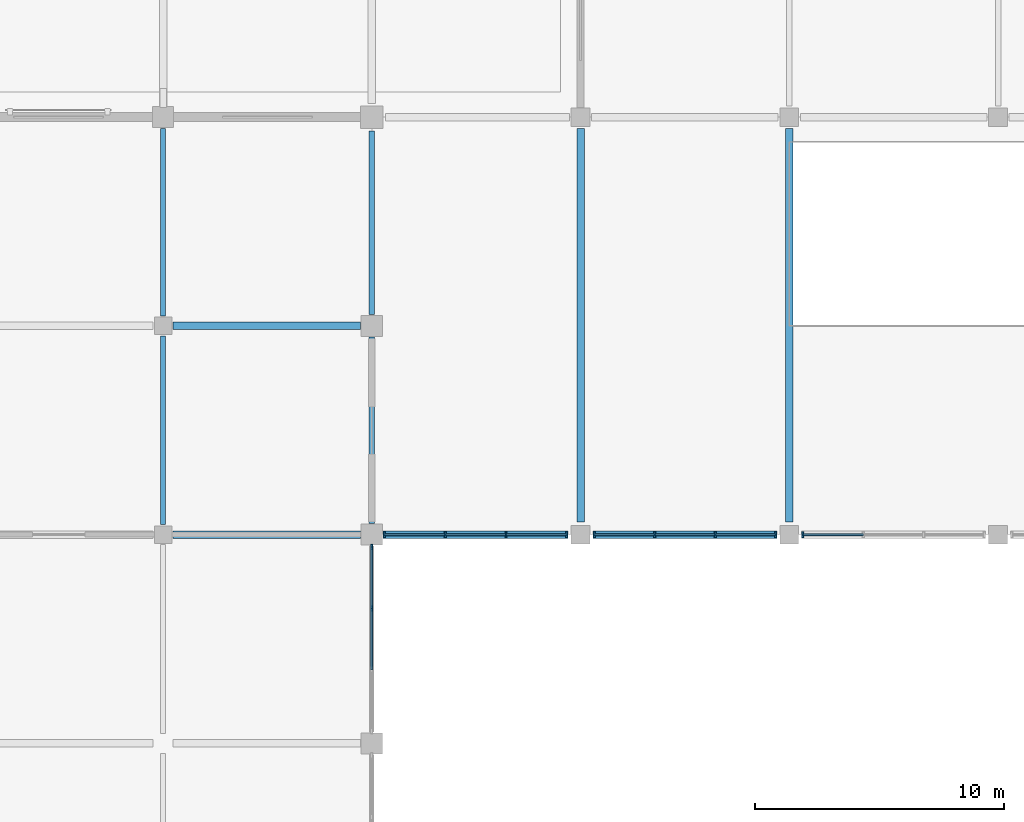
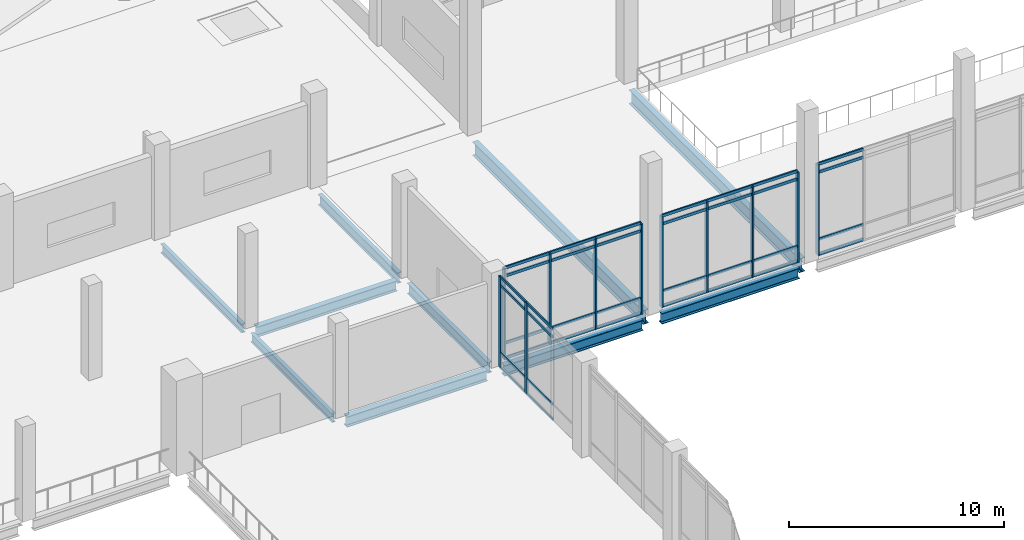
# One storey, part 15 of 72: 47 members, 10 beams, 4 elements without a shape of their own.
"""IFC4 building model written with IfcOpenShell, lengths in metres."""

from ifc_helpers import new_model, si_unit, direction, frame, origin, origin_2d, place, context, subcontext, project, spatial, rectangle, i_section, extrude, material, layer, layer_set, material_profile, profile_set, type_object, element, aggregate, save


model = new_model("IFC4")

# Units and contexts
model_context = context("Model", 3, precision=1e-05, world=origin(), true_north=direction((0.0, 1.0)))
body_context = subcontext(model_context, "Body", "Model", "MODEL_VIEW")
ifc_project = project(units=[si_unit("LENGTHUNIT", "METRE"), si_unit("AREAUNIT", "SQUARE_METRE"), si_unit("VOLUMEUNIT", "CUBIC_METRE"), si_unit("PLANEANGLEUNIT", "RADIAN"), si_unit("MASSUNIT", "GRAM", prefix="KILO")], contexts=[model_context])

# Site, building, storey
site_placement = place(None, origin())
site = spatial("IfcSite", under=ifc_project, at=site_placement, CompositionType="ELEMENT")
building_placement = place(site_placement, origin())
building = spatial("IfcBuilding", under=site, at=building_placement, Name="Qawsi Khor Wholesale Market", CompositionType="ELEMENT")
storey_placement = place(building_placement, frame((0.0, 0.0, 6.0)))
storey = spatial("IfcBuildingStorey", under=building, at=storey_placement, Name="L01", CompositionType="ELEMENT", Elevation=6.0)

# Curtain wall, members
ifc_material_1 = material(Name="Aluminium Anodised Bronze", Category="aluminium")
ifc_layer_1 = layer(ifc_material_1, 0.199951171875, Name="Aluminium Anodised Bronze")
ifc_layer_set_1 = layer_set([ifc_layer_1], Name="Aluminium Anodised Bronze")
curtain_wall_type_1 = type_object("IfcCurtainWallType", Name="Trading Hall North-Light Curtain Wall CW-03", PredefinedType="NOTDEFINED", material=ifc_layer_set_1)
curtain_wall_1_placement = place(storey_placement, origin())
curtain_wall_1 = element("IfcCurtainWall", 1, at=curtain_wall_1_placement, inside=storey, type_object=curtain_wall_type_1, Name="Curtain wall CW-CW-03-L01-093", PredefinedType="NOTDEFINED")
ifc_material_profile_1 = material_profile(ifc_material_1, rectangle(XDim=0.074951171875, YDim=0.219970703125, at=origin_2d()), Name="ALU MULLION 75x220")
ifc_profile_set_1 = profile_set([ifc_material_profile_1], Name="Aluminium Anodised Bronze")
member_type_1 = type_object("IfcMemberType", Name="Curtain Wall Mullion CW-03 ALU MULLION 75x220", PredefinedType="MULLION", material=ifc_profile_set_1)
member_1_placement = place(storey_placement, frame((75.60009765625, 89.43408203125, -0.02001953125), z_axis=(0.0, 0.0, 1.0), x_axis=(1.0, 0.0, 0.0)))
member_1 = element("IfcMember", 2, at=member_1_placement, type_object=member_type_1, Name="Mullion CW-CW-03-L01-093-M02", PredefinedType="MULLION", context=body_context, shape_type="SweptSolid", body=[
    extrude(rectangle(XDim=0.074951171875, YDim=0.219970703125, at=origin_2d()), origin(), (0.0, 0.0, 1.0), 5.14990234375),
])
member_2_placement = place(storey_placement, frame((75.60009765625, 91.902587890625, -0.02001953125), z_axis=(0.0, 0.0, 1.0), x_axis=(1.0, 0.0, 0.0)))
member_2 = element("IfcMember", 3, at=member_2_placement, type_object=member_type_1, Name="Mullion CW-CW-03-L01-093-M03", PredefinedType="MULLION", context=body_context, shape_type="SweptSolid", body=[
    extrude(rectangle(XDim=0.074951171875, YDim=0.219970703125, at=origin_2d()), origin(), (0.0, 0.0, 1.0), 5.14990234375),
])

ifc_layer_2 = layer(ifc_material_1, 0.219970703125, Name="Aluminium Anodised Bronze")
ifc_layer_set_2 = layer_set([ifc_layer_2], Name="Aluminium Anodised Bronze")
curtain_wall_type_2 = type_object("IfcCurtainWallType", Name="Auction Clerestory Curtain Wall CW-04", PredefinedType="NOTDEFINED", material=ifc_layer_set_2)
curtain_wall_2_placement = place(storey_placement, origin())
curtain_wall_2 = element("IfcCurtainWall", 4, at=curtain_wall_2_placement, inside=storey, type_object=curtain_wall_type_2, Name="Curtain wall CW-CW-04-L01-098", PredefinedType="NOTDEFINED")
ifc_material_profile_2 = material_profile(ifc_material_1, rectangle(XDim=0.080078125, YDim=0.239990234375, at=origin_2d()), Name="ALU MULLION 80x240")
ifc_profile_set_2 = profile_set([ifc_material_profile_2], Name="Aluminium Anodised Bronze")
member_type_2 = type_object("IfcMemberType", Name="Curtain Wall Mullion CW-04 ALU MULLION 80x240", PredefinedType="MULLION", material=ifc_profile_set_2)
member_3_placement = place(storey_placement, frame((76.10009765625, 92.39990234375, -0.02001953125), z_axis=(0.0, 0.0, 1.0), x_axis=(1.0, 0.0, 0.0)))
member_3 = element("IfcMember", 5, at=member_3_placement, type_object=member_type_2, Name="Mullion CW-CW-04-L01-098-M00", PredefinedType="MULLION", context=body_context, shape_type="SweptSolid", body=[
    extrude(rectangle(XDim=0.080078125, YDim=0.239990234375, at=origin_2d()), origin(), (0.0, 0.0, 1.0), 5.14013671875),
])
member_4_placement = place(storey_placement, frame((78.550048828125, 92.39990234375, -0.02001953125), z_axis=(0.0, 0.0, 1.0), x_axis=(1.0, 0.0, 0.0)))
member_4 = element("IfcMember", 6, at=member_4_placement, type_object=member_type_2, Name="Mullion CW-CW-04-L01-098-M01", PredefinedType="MULLION", context=body_context, shape_type="SweptSolid", body=[
    extrude(rectangle(XDim=0.080078125, YDim=0.239990234375, at=origin_2d()), origin(), (0.0, 0.0, 1.0), 5.14013671875),
])
member_5_placement = place(storey_placement, frame((81.0, 92.39990234375, -0.02001953125), z_axis=(0.0, 0.0, 1.0), x_axis=(1.0, 0.0, 0.0)))
member_5 = element("IfcMember", 7, at=member_5_placement, type_object=member_type_2, Name="Mullion CW-CW-04-L01-098-M02", PredefinedType="MULLION", context=body_context, shape_type="SweptSolid", body=[
    extrude(rectangle(XDim=0.080078125, YDim=0.239990234375, at=origin_2d()), origin(), (0.0, 0.0, 1.0), 5.14013671875),
])
member_6_placement = place(storey_placement, frame((83.449951171875, 92.39990234375, -0.02001953125), z_axis=(0.0, 0.0, 1.0), x_axis=(1.0, 0.0, 0.0)))
member_6 = element("IfcMember", 8, at=member_6_placement, type_object=member_type_2, Name="Mullion CW-CW-04-L01-098-M03", PredefinedType="MULLION", context=body_context, shape_type="SweptSolid", body=[
    extrude(rectangle(XDim=0.080078125, YDim=0.239990234375, at=origin_2d()), origin(), (0.0, 0.0, 1.0), 5.14013671875),
])

curtain_wall_3_placement = place(storey_placement, origin())
curtain_wall_3 = element("IfcCurtainWall", 9, at=curtain_wall_3_placement, inside=storey, type_object=curtain_wall_type_2, Name="Curtain wall CW-CW-04-L01-100", PredefinedType="NOTDEFINED")
member_7_placement = place(storey_placement, frame((84.550048828125, 92.39990234375, -0.02001953125), z_axis=(0.0, 0.0, 1.0), x_axis=(1.0, 0.0, 0.0)))
member_7 = element("IfcMember", 10, at=member_7_placement, type_object=member_type_2, Name="Mullion CW-CW-04-L01-100-M00", PredefinedType="MULLION", context=body_context, shape_type="SweptSolid", body=[
    extrude(rectangle(XDim=0.080078125, YDim=0.239990234375, at=origin_2d()), origin(), (0.0, 0.0, 1.0), 5.14013671875),
])
member_8_placement = place(storey_placement, frame((86.9833984375, 92.39990234375, -0.02001953125), z_axis=(0.0, 0.0, 1.0), x_axis=(1.0, 0.0, 0.0)))
member_8 = element("IfcMember", 11, at=member_8_placement, type_object=member_type_2, Name="Mullion CW-CW-04-L01-100-M01", PredefinedType="MULLION", context=body_context, shape_type="SweptSolid", body=[
    extrude(rectangle(XDim=0.080078125, YDim=0.239990234375, at=origin_2d()), origin(), (0.0, 0.0, 1.0), 5.14013671875),
])
member_9_placement = place(storey_placement, frame((89.416748046875, 92.39990234375, -0.02001953125), z_axis=(0.0, 0.0, 1.0), x_axis=(1.0, 0.0, 0.0)))
member_9 = element("IfcMember", 12, at=member_9_placement, type_object=member_type_2, Name="Mullion CW-CW-04-L01-100-M02", PredefinedType="MULLION", context=body_context, shape_type="SweptSolid", body=[
    extrude(rectangle(XDim=0.080078125, YDim=0.239990234375, at=origin_2d()), origin(), (0.0, 0.0, 1.0), 5.14013671875),
])
member_10_placement = place(storey_placement, frame((91.85009765625, 92.39990234375, -0.02001953125), z_axis=(0.0, 0.0, 1.0), x_axis=(1.0, 0.0, 0.0)))
member_10 = element("IfcMember", 13, at=member_10_placement, type_object=member_type_2, Name="Mullion CW-CW-04-L01-100-M03", PredefinedType="MULLION", context=body_context, shape_type="SweptSolid", body=[
    extrude(rectangle(XDim=0.080078125, YDim=0.239990234375, at=origin_2d()), origin(), (0.0, 0.0, 1.0), 5.14013671875),
])

# Curtain wall, member
curtain_wall_4_placement = place(storey_placement, origin())
curtain_wall_4 = element("IfcCurtainWall", 14, at=curtain_wall_4_placement, inside=storey, type_object=curtain_wall_type_2, Name="Curtain wall CW-CW-04-L01-103", PredefinedType="NOTDEFINED")
member_11_placement = place(storey_placement, frame((92.949951171875, 92.39990234375, -0.02001953125), z_axis=(0.0, 0.0, 1.0), x_axis=(1.0, 0.0, 0.0)))
member_11 = element("IfcMember", 15, at=member_11_placement, type_object=member_type_2, Name="Mullion CW-CW-04-L01-103-M00", PredefinedType="MULLION", context=body_context, shape_type="SweptSolid", body=[
    extrude(rectangle(XDim=0.080078125, YDim=0.239990234375, at=origin_2d()), origin(), (0.0, 0.0, 1.0), 5.14013671875),
])

# Member
ifc_material_profile_3 = material_profile(ifc_material_1, rectangle(XDim=0.070068359375, YDim=0.14990234375, at=origin_2d()), Name="ALU TRANSOM 70x150")
ifc_profile_set_3 = profile_set([ifc_material_profile_3], Name="Aluminium Anodised Bronze")
member_type_3 = type_object("IfcMemberType", Name="Curtain Wall Transom CW-03 ALU TRANSOM 70x150", PredefinedType="USERDEFINED", material=ifc_profile_set_3)
member_12_placement = place(storey_placement, frame((75.60009765625, 86.9658203125, 0.0), z_axis=(0.0, 1.0, 0.0), x_axis=(-1.0, 0.0, 0.0)))
member_12 = element("IfcMember", 16, at=member_12_placement, type_object=member_type_3, Name="Transom CW-CW-03-L01-093-T0_01", ObjectType="TRANSOM", PredefinedType="USERDEFINED", context=body_context, shape_type="SweptSolid", body=[
    extrude(rectangle(XDim=0.070068359375, YDim=0.14990234375, at=origin_2d()), origin(), (0.0, 0.0, 1.0), 2.46826171875),
])

member_13_placement = place(storey_placement, frame((75.60009765625, 89.43408203125, 0.0), z_axis=(0.0, 1.0, 0.0), x_axis=(-1.0, 0.0, 0.0)))
member_13 = element("IfcMember", 17, at=member_13_placement, type_object=member_type_3, Name="Transom CW-CW-03-L01-093-T0_02", ObjectType="TRANSOM", PredefinedType="USERDEFINED", context=body_context, shape_type="SweptSolid", body=[
    extrude(rectangle(XDim=0.070068359375, YDim=0.14990234375, at=origin_2d()), origin(), (0.0, 0.0, 1.0), 2.468505859375),
])

member_14_placement = place(storey_placement, frame((75.60009765625, 86.9658203125, 0.85009765625), z_axis=(0.0, 1.0, 0.0), x_axis=(-1.0, 0.0, 0.0)))
member_14 = element("IfcMember", 18, at=member_14_placement, type_object=member_type_3, Name="Transom CW-CW-03-L01-093-T1_01", ObjectType="TRANSOM", PredefinedType="USERDEFINED", context=body_context, shape_type="SweptSolid", body=[
    extrude(rectangle(XDim=0.070068359375, YDim=0.14990234375, at=origin_2d()), origin(), (0.0, 0.0, 1.0), 2.46826171875),
])

member_15_placement = place(storey_placement, frame((75.60009765625, 89.43408203125, 0.85009765625), z_axis=(0.0, 1.0, 0.0), x_axis=(-1.0, 0.0, 0.0)))
member_15 = element("IfcMember", 19, at=member_15_placement, type_object=member_type_3, Name="Transom CW-CW-03-L01-093-T1_02", ObjectType="TRANSOM", PredefinedType="USERDEFINED", context=body_context, shape_type="SweptSolid", body=[
    extrude(rectangle(XDim=0.070068359375, YDim=0.14990234375, at=origin_2d()), origin(), (0.0, 0.0, 1.0), 2.468505859375),
])

member_16_placement = place(storey_placement, frame((75.60009765625, 86.9658203125, 4.679931640625), z_axis=(0.0, 1.0, 0.0), x_axis=(-1.0, 0.0, 0.0)))
member_16 = element("IfcMember", 20, at=member_16_placement, type_object=member_type_3, Name="Transom CW-CW-03-L01-093-T2_01", ObjectType="TRANSOM", PredefinedType="USERDEFINED", context=body_context, shape_type="SweptSolid", body=[
    extrude(rectangle(XDim=0.070068359375, YDim=0.14990234375, at=origin_2d()), origin(), (0.0, 0.0, 1.0), 2.46826171875),
])

member_17_placement = place(storey_placement, frame((75.60009765625, 89.43408203125, 4.679931640625), z_axis=(0.0, 1.0, 0.0), x_axis=(-1.0, 0.0, 0.0)))
member_17 = element("IfcMember", 21, at=member_17_placement, type_object=member_type_3, Name="Transom CW-CW-03-L01-093-T2_02", ObjectType="TRANSOM", PredefinedType="USERDEFINED", context=body_context, shape_type="SweptSolid", body=[
    extrude(rectangle(XDim=0.070068359375, YDim=0.14990234375, at=origin_2d()), origin(), (0.0, 0.0, 1.0), 2.468505859375),
])

member_18_placement = place(storey_placement, frame((75.60009765625, 86.9658203125, 5.1298828125), z_axis=(0.0, 1.0, 0.0), x_axis=(-1.0, 0.0, 0.0)))
member_18 = element("IfcMember", 22, at=member_18_placement, type_object=member_type_3, Name="Transom CW-CW-03-L01-093-T3_01", ObjectType="TRANSOM", PredefinedType="USERDEFINED", context=body_context, shape_type="SweptSolid", body=[
    extrude(rectangle(XDim=0.070068359375, YDim=0.14990234375, at=origin_2d()), origin(), (0.0, 0.0, 1.0), 2.46826171875),
])

member_19_placement = place(storey_placement, frame((75.60009765625, 89.43408203125, 5.1298828125), z_axis=(0.0, 1.0, 0.0), x_axis=(-1.0, 0.0, 0.0)))
member_19 = element("IfcMember", 23, at=member_19_placement, type_object=member_type_3, Name="Transom CW-CW-03-L01-093-T3_02", ObjectType="TRANSOM", PredefinedType="USERDEFINED", context=body_context, shape_type="SweptSolid", body=[
    extrude(rectangle(XDim=0.070068359375, YDim=0.14990234375, at=origin_2d()), origin(), (0.0, 0.0, 1.0), 2.468505859375),
])

aggregate(curtain_wall_1, [member_1, member_2, member_12, member_13, member_14, member_15, member_16, member_17, member_18, member_19])

ifc_material_profile_4 = material_profile(ifc_material_1, rectangle(XDim=0.074951171875, YDim=0.159912109375, at=origin_2d()), Name="ALU TRANSOM 75x160")
ifc_profile_set_4 = profile_set([ifc_material_profile_4], Name="Aluminium Anodised Bronze")
member_type_4 = type_object("IfcMemberType", Name="Curtain Wall Transom CW-04 ALU TRANSOM 75x160", PredefinedType="USERDEFINED", material=ifc_profile_set_4)
member_20_placement = place(storey_placement, frame((76.10009765625, 92.39990234375, 0.0), z_axis=(1.0, 0.0, 0.0), x_axis=(0.0, 1.0, 0.0)))
member_20 = element("IfcMember", 24, at=member_20_placement, type_object=member_type_4, Name="Transom CW-CW-04-L01-098-T0_00", ObjectType="TRANSOM", PredefinedType="USERDEFINED", context=body_context, shape_type="SweptSolid", body=[
    extrude(rectangle(XDim=0.074951171875, YDim=0.159912109375, at=origin_2d()), origin(), (0.0, 0.0, 1.0), 2.449951171875),
])

member_21_placement = place(storey_placement, frame((78.550048828125, 92.39990234375, 0.0), z_axis=(1.0, 0.0, 0.0), x_axis=(0.0, 1.0, 0.0)))
member_21 = element("IfcMember", 25, at=member_21_placement, type_object=member_type_4, Name="Transom CW-CW-04-L01-098-T0_01", ObjectType="TRANSOM", PredefinedType="USERDEFINED", context=body_context, shape_type="SweptSolid", body=[
    extrude(rectangle(XDim=0.074951171875, YDim=0.159912109375, at=origin_2d()), origin(), (0.0, 0.0, 1.0), 2.449951171875),
])

member_22_placement = place(storey_placement, frame((81.0, 92.39990234375, 0.0), z_axis=(1.0, 0.0, 0.0), x_axis=(0.0, 1.0, 0.0)))
member_22 = element("IfcMember", 26, at=member_22_placement, type_object=member_type_4, Name="Transom CW-CW-04-L01-098-T0_02", ObjectType="TRANSOM", PredefinedType="USERDEFINED", context=body_context, shape_type="SweptSolid", body=[
    extrude(rectangle(XDim=0.074951171875, YDim=0.159912109375, at=origin_2d()), origin(), (0.0, 0.0, 1.0), 2.449951171875),
])

member_23_placement = place(storey_placement, frame((76.10009765625, 92.39990234375, 0.85009765625), z_axis=(1.0, 0.0, 0.0), x_axis=(0.0, 1.0, 0.0)))
member_23 = element("IfcMember", 27, at=member_23_placement, type_object=member_type_4, Name="Transom CW-CW-04-L01-098-T1_00", ObjectType="TRANSOM", PredefinedType="USERDEFINED", context=body_context, shape_type="SweptSolid", body=[
    extrude(rectangle(XDim=0.074951171875, YDim=0.159912109375, at=origin_2d()), origin(), (0.0, 0.0, 1.0), 2.449951171875),
])

member_24_placement = place(storey_placement, frame((78.550048828125, 92.39990234375, 0.85009765625), z_axis=(1.0, 0.0, 0.0), x_axis=(0.0, 1.0, 0.0)))
member_24 = element("IfcMember", 28, at=member_24_placement, type_object=member_type_4, Name="Transom CW-CW-04-L01-098-T1_01", ObjectType="TRANSOM", PredefinedType="USERDEFINED", context=body_context, shape_type="SweptSolid", body=[
    extrude(rectangle(XDim=0.074951171875, YDim=0.159912109375, at=origin_2d()), origin(), (0.0, 0.0, 1.0), 2.449951171875),
])

member_25_placement = place(storey_placement, frame((81.0, 92.39990234375, 0.85009765625), z_axis=(1.0, 0.0, 0.0), x_axis=(0.0, 1.0, 0.0)))
member_25 = element("IfcMember", 29, at=member_25_placement, type_object=member_type_4, Name="Transom CW-CW-04-L01-098-T1_02", ObjectType="TRANSOM", PredefinedType="USERDEFINED", context=body_context, shape_type="SweptSolid", body=[
    extrude(rectangle(XDim=0.074951171875, YDim=0.159912109375, at=origin_2d()), origin(), (0.0, 0.0, 1.0), 2.449951171875),
])

member_26_placement = place(storey_placement, frame((76.10009765625, 92.39990234375, 4.669921875), z_axis=(1.0, 0.0, 0.0), x_axis=(0.0, 1.0, 0.0)))
member_26 = element("IfcMember", 30, at=member_26_placement, type_object=member_type_4, Name="Transom CW-CW-04-L01-098-T2_00", ObjectType="TRANSOM", PredefinedType="USERDEFINED", context=body_context, shape_type="SweptSolid", body=[
    extrude(rectangle(XDim=0.074951171875, YDim=0.159912109375, at=origin_2d()), origin(), (0.0, 0.0, 1.0), 2.449951171875),
])

member_27_placement = place(storey_placement, frame((78.550048828125, 92.39990234375, 4.669921875), z_axis=(1.0, 0.0, 0.0), x_axis=(0.0, 1.0, 0.0)))
member_27 = element("IfcMember", 31, at=member_27_placement, type_object=member_type_4, Name="Transom CW-CW-04-L01-098-T2_01", ObjectType="TRANSOM", PredefinedType="USERDEFINED", context=body_context, shape_type="SweptSolid", body=[
    extrude(rectangle(XDim=0.074951171875, YDim=0.159912109375, at=origin_2d()), origin(), (0.0, 0.0, 1.0), 2.449951171875),
])

member_28_placement = place(storey_placement, frame((81.0, 92.39990234375, 4.669921875), z_axis=(1.0, 0.0, 0.0), x_axis=(0.0, 1.0, 0.0)))
member_28 = element("IfcMember", 32, at=member_28_placement, type_object=member_type_4, Name="Transom CW-CW-04-L01-098-T2_02", ObjectType="TRANSOM", PredefinedType="USERDEFINED", context=body_context, shape_type="SweptSolid", body=[
    extrude(rectangle(XDim=0.074951171875, YDim=0.159912109375, at=origin_2d()), origin(), (0.0, 0.0, 1.0), 2.449951171875),
])

member_29_placement = place(storey_placement, frame((76.10009765625, 92.39990234375, 5.1201171875), z_axis=(1.0, 0.0, 0.0), x_axis=(0.0, 1.0, 0.0)))
member_29 = element("IfcMember", 33, at=member_29_placement, type_object=member_type_4, Name="Transom CW-CW-04-L01-098-T3_00", ObjectType="TRANSOM", PredefinedType="USERDEFINED", context=body_context, shape_type="SweptSolid", body=[
    extrude(rectangle(XDim=0.074951171875, YDim=0.159912109375, at=origin_2d()), origin(), (0.0, 0.0, 1.0), 2.449951171875),
])

member_30_placement = place(storey_placement, frame((78.550048828125, 92.39990234375, 5.1201171875), z_axis=(1.0, 0.0, 0.0), x_axis=(0.0, 1.0, 0.0)))
member_30 = element("IfcMember", 34, at=member_30_placement, type_object=member_type_4, Name="Transom CW-CW-04-L01-098-T3_01", ObjectType="TRANSOM", PredefinedType="USERDEFINED", context=body_context, shape_type="SweptSolid", body=[
    extrude(rectangle(XDim=0.074951171875, YDim=0.159912109375, at=origin_2d()), origin(), (0.0, 0.0, 1.0), 2.449951171875),
])

member_31_placement = place(storey_placement, frame((81.0, 92.39990234375, 5.1201171875), z_axis=(1.0, 0.0, 0.0), x_axis=(0.0, 1.0, 0.0)))
member_31 = element("IfcMember", 35, at=member_31_placement, type_object=member_type_4, Name="Transom CW-CW-04-L01-098-T3_02", ObjectType="TRANSOM", PredefinedType="USERDEFINED", context=body_context, shape_type="SweptSolid", body=[
    extrude(rectangle(XDim=0.074951171875, YDim=0.159912109375, at=origin_2d()), origin(), (0.0, 0.0, 1.0), 2.449951171875),
])

aggregate(curtain_wall_2, [member_3, member_4, member_5, member_6, member_20, member_21, member_22, member_23, member_24, member_25, member_26, member_27, member_28, member_29, member_30, member_31])

member_32_placement = place(storey_placement, frame((84.550048828125, 92.39990234375, 0.0), z_axis=(1.0, 0.0, 0.0), x_axis=(0.0, 1.0, 0.0)))
member_32 = element("IfcMember", 36, at=member_32_placement, type_object=member_type_4, Name="Transom CW-CW-04-L01-100-T0_00", ObjectType="TRANSOM", PredefinedType="USERDEFINED", context=body_context, shape_type="SweptSolid", body=[
    extrude(rectangle(XDim=0.074951171875, YDim=0.159912109375, at=origin_2d()), origin(), (0.0, 0.0, 1.0), 2.433349609375),
])

member_33_placement = place(storey_placement, frame((86.9833984375, 92.39990234375, 0.0), z_axis=(1.0, 0.0, 0.0), x_axis=(0.0, 1.0, 0.0)))
member_33 = element("IfcMember", 37, at=member_33_placement, type_object=member_type_4, Name="Transom CW-CW-04-L01-100-T0_01", ObjectType="TRANSOM", PredefinedType="USERDEFINED", context=body_context, shape_type="SweptSolid", body=[
    extrude(rectangle(XDim=0.074951171875, YDim=0.159912109375, at=origin_2d()), origin(), (0.0, 0.0, 1.0), 2.433349609375),
])

member_34_placement = place(storey_placement, frame((89.416748046875, 92.39990234375, 0.0), z_axis=(1.0, 0.0, 0.0), x_axis=(0.0, 1.0, 0.0)))
member_34 = element("IfcMember", 38, at=member_34_placement, type_object=member_type_4, Name="Transom CW-CW-04-L01-100-T0_02", ObjectType="TRANSOM", PredefinedType="USERDEFINED", context=body_context, shape_type="SweptSolid", body=[
    extrude(rectangle(XDim=0.074951171875, YDim=0.159912109375, at=origin_2d()), origin(), (0.0, 0.0, 1.0), 2.433349609375),
])

member_35_placement = place(storey_placement, frame((84.550048828125, 92.39990234375, 0.85009765625), z_axis=(1.0, 0.0, 0.0), x_axis=(0.0, 1.0, 0.0)))
member_35 = element("IfcMember", 39, at=member_35_placement, type_object=member_type_4, Name="Transom CW-CW-04-L01-100-T1_00", ObjectType="TRANSOM", PredefinedType="USERDEFINED", context=body_context, shape_type="SweptSolid", body=[
    extrude(rectangle(XDim=0.074951171875, YDim=0.159912109375, at=origin_2d()), origin(), (0.0, 0.0, 1.0), 2.433349609375),
])

member_36_placement = place(storey_placement, frame((86.9833984375, 92.39990234375, 0.85009765625), z_axis=(1.0, 0.0, 0.0), x_axis=(0.0, 1.0, 0.0)))
member_36 = element("IfcMember", 40, at=member_36_placement, type_object=member_type_4, Name="Transom CW-CW-04-L01-100-T1_01", ObjectType="TRANSOM", PredefinedType="USERDEFINED", context=body_context, shape_type="SweptSolid", body=[
    extrude(rectangle(XDim=0.074951171875, YDim=0.159912109375, at=origin_2d()), origin(), (0.0, 0.0, 1.0), 2.433349609375),
])

member_37_placement = place(storey_placement, frame((89.416748046875, 92.39990234375, 0.85009765625), z_axis=(1.0, 0.0, 0.0), x_axis=(0.0, 1.0, 0.0)))
member_37 = element("IfcMember", 41, at=member_37_placement, type_object=member_type_4, Name="Transom CW-CW-04-L01-100-T1_02", ObjectType="TRANSOM", PredefinedType="USERDEFINED", context=body_context, shape_type="SweptSolid", body=[
    extrude(rectangle(XDim=0.074951171875, YDim=0.159912109375, at=origin_2d()), origin(), (0.0, 0.0, 1.0), 2.433349609375),
])

member_38_placement = place(storey_placement, frame((84.550048828125, 92.39990234375, 4.669921875), z_axis=(1.0, 0.0, 0.0), x_axis=(0.0, 1.0, 0.0)))
member_38 = element("IfcMember", 42, at=member_38_placement, type_object=member_type_4, Name="Transom CW-CW-04-L01-100-T2_00", ObjectType="TRANSOM", PredefinedType="USERDEFINED", context=body_context, shape_type="SweptSolid", body=[
    extrude(rectangle(XDim=0.074951171875, YDim=0.159912109375, at=origin_2d()), origin(), (0.0, 0.0, 1.0), 2.433349609375),
])

member_39_placement = place(storey_placement, frame((86.9833984375, 92.39990234375, 4.669921875), z_axis=(1.0, 0.0, 0.0), x_axis=(0.0, 1.0, 0.0)))
member_39 = element("IfcMember", 43, at=member_39_placement, type_object=member_type_4, Name="Transom CW-CW-04-L01-100-T2_01", ObjectType="TRANSOM", PredefinedType="USERDEFINED", context=body_context, shape_type="SweptSolid", body=[
    extrude(rectangle(XDim=0.074951171875, YDim=0.159912109375, at=origin_2d()), origin(), (0.0, 0.0, 1.0), 2.433349609375),
])

member_40_placement = place(storey_placement, frame((89.416748046875, 92.39990234375, 4.669921875), z_axis=(1.0, 0.0, 0.0), x_axis=(0.0, 1.0, 0.0)))
member_40 = element("IfcMember", 44, at=member_40_placement, type_object=member_type_4, Name="Transom CW-CW-04-L01-100-T2_02", ObjectType="TRANSOM", PredefinedType="USERDEFINED", context=body_context, shape_type="SweptSolid", body=[
    extrude(rectangle(XDim=0.074951171875, YDim=0.159912109375, at=origin_2d()), origin(), (0.0, 0.0, 1.0), 2.433349609375),
])

member_41_placement = place(storey_placement, frame((84.550048828125, 92.39990234375, 5.1201171875), z_axis=(1.0, 0.0, 0.0), x_axis=(0.0, 1.0, 0.0)))
member_41 = element("IfcMember", 45, at=member_41_placement, type_object=member_type_4, Name="Transom CW-CW-04-L01-100-T3_00", ObjectType="TRANSOM", PredefinedType="USERDEFINED", context=body_context, shape_type="SweptSolid", body=[
    extrude(rectangle(XDim=0.074951171875, YDim=0.159912109375, at=origin_2d()), origin(), (0.0, 0.0, 1.0), 2.433349609375),
])

member_42_placement = place(storey_placement, frame((86.9833984375, 92.39990234375, 5.1201171875), z_axis=(1.0, 0.0, 0.0), x_axis=(0.0, 1.0, 0.0)))
member_42 = element("IfcMember", 46, at=member_42_placement, type_object=member_type_4, Name="Transom CW-CW-04-L01-100-T3_01", ObjectType="TRANSOM", PredefinedType="USERDEFINED", context=body_context, shape_type="SweptSolid", body=[
    extrude(rectangle(XDim=0.074951171875, YDim=0.159912109375, at=origin_2d()), origin(), (0.0, 0.0, 1.0), 2.433349609375),
])

member_43_placement = place(storey_placement, frame((89.416748046875, 92.39990234375, 5.1201171875), z_axis=(1.0, 0.0, 0.0), x_axis=(0.0, 1.0, 0.0)))
member_43 = element("IfcMember", 47, at=member_43_placement, type_object=member_type_4, Name="Transom CW-CW-04-L01-100-T3_02", ObjectType="TRANSOM", PredefinedType="USERDEFINED", context=body_context, shape_type="SweptSolid", body=[
    extrude(rectangle(XDim=0.074951171875, YDim=0.159912109375, at=origin_2d()), origin(), (0.0, 0.0, 1.0), 2.433349609375),
])

aggregate(curtain_wall_3, [member_7, member_8, member_9, member_10, member_32, member_33, member_34, member_35, member_36, member_37, member_38, member_39, member_40, member_41, member_42, member_43])

member_44_placement = place(storey_placement, frame((92.949951171875, 92.39990234375, 0.0), z_axis=(1.0, 0.0, 0.0), x_axis=(0.0, 1.0, 0.0)))
member_44 = element("IfcMember", 48, at=member_44_placement, type_object=member_type_4, Name="Transom CW-CW-04-L01-103-T0_00", ObjectType="TRANSOM", PredefinedType="USERDEFINED", context=body_context, shape_type="SweptSolid", body=[
    extrude(rectangle(XDim=0.074951171875, YDim=0.159912109375, at=origin_2d()), origin(), (0.0, 0.0, 1.0), 2.433349609375),
])

member_45_placement = place(storey_placement, frame((92.949951171875, 92.39990234375, 0.85009765625), z_axis=(1.0, 0.0, 0.0), x_axis=(0.0, 1.0, 0.0)))
member_45 = element("IfcMember", 49, at=member_45_placement, type_object=member_type_4, Name="Transom CW-CW-04-L01-103-T1_00", ObjectType="TRANSOM", PredefinedType="USERDEFINED", context=body_context, shape_type="SweptSolid", body=[
    extrude(rectangle(XDim=0.074951171875, YDim=0.159912109375, at=origin_2d()), origin(), (0.0, 0.0, 1.0), 2.433349609375),
])

member_46_placement = place(storey_placement, frame((92.949951171875, 92.39990234375, 4.669921875), z_axis=(1.0, 0.0, 0.0), x_axis=(0.0, 1.0, 0.0)))
member_46 = element("IfcMember", 50, at=member_46_placement, type_object=member_type_4, Name="Transom CW-CW-04-L01-103-T2_00", ObjectType="TRANSOM", PredefinedType="USERDEFINED", context=body_context, shape_type="SweptSolid", body=[
    extrude(rectangle(XDim=0.074951171875, YDim=0.159912109375, at=origin_2d()), origin(), (0.0, 0.0, 1.0), 2.433349609375),
])

member_47_placement = place(storey_placement, frame((92.949951171875, 92.39990234375, 5.1201171875), z_axis=(1.0, 0.0, 0.0), x_axis=(0.0, 1.0, 0.0)))
member_47 = element("IfcMember", 51, at=member_47_placement, type_object=member_type_4, Name="Transom CW-CW-04-L01-103-T3_00", ObjectType="TRANSOM", PredefinedType="USERDEFINED", context=body_context, shape_type="SweptSolid", body=[
    extrude(rectangle(XDim=0.074951171875, YDim=0.159912109375, at=origin_2d()), origin(), (0.0, 0.0, 1.0), 2.433349609375),
])

aggregate(curtain_wall_4, [member_11, member_44, member_45, member_46, member_47])

# Beams
ifc_material_2 = material(Name="Steel S355", Category="steel")
ifc_material_profile_5 = material_profile(ifc_material_2, i_section(OverallWidth=0.300048828125, OverallDepth=0.60009765625, WebThickness=0.015380859375, FlangeThickness=0.030029296875, FilletRadius=0.027099609375, at=origin_2d()), Name="HEB 600")
ifc_profile_set_5 = profile_set([ifc_material_profile_5], Name="Steel S355")
beam_type_1 = type_object("IfcBeamType", Name="Heavy Edge Girder HEB 600", PredefinedType="BEAM", material=ifc_profile_set_5)
beam_1_placement = place(storey_placement, frame((67.60009765625, 92.39990234375, -0.570068359375), z_axis=(1.0, 0.0, 0.0), x_axis=(0.0, 1.0, 0.0)))
element("IfcBeam", 52, at=beam_1_placement, inside=storey, type_object=beam_type_1, Name="BM-X-L01-08_+11", PredefinedType="BEAM", context=body_context, shape_type="SweptSolid", body=[
    extrude(i_section(OverallWidth=0.300048828125, OverallDepth=0.60009765625, WebThickness=0.015380859375, FlangeThickness=0.030029296875, FilletRadius=0.027099609375, at=origin_2d()), origin(), (0.0, 0.0, 1.0), 7.5498046875),
])
beam_2_placement = place(storey_placement, frame((76.050048828125, 92.39990234375, -0.6298828125), z_axis=(1.0, 0.0, 0.0), x_axis=(0.0, 1.0, 0.0)))
element("IfcBeam", 53, at=beam_2_placement, inside=storey, type_object=beam_type_1, Name="BM-X-L01-09_+11", PredefinedType="BEAM", context=body_context, shape_type="SweptSolid", body=[
    extrude(i_section(OverallWidth=0.300048828125, OverallDepth=0.60009765625, WebThickness=0.015380859375, FlangeThickness=0.030029296875, FilletRadius=0.027099609375, at=origin_2d()), origin(), (0.0, 0.0, 1.0), 7.449951171875),
])
beam_3_placement = place(storey_placement, frame((84.5, 92.39990234375, -0.6298828125), z_axis=(1.0, 0.0, 0.0), x_axis=(0.0, 1.0, 0.0)))
element("IfcBeam", 54, at=beam_3_placement, inside=storey, type_object=beam_type_1, Name="BM-X-L01-10_+11", PredefinedType="BEAM", context=body_context, shape_type="SweptSolid", body=[
    extrude(i_section(OverallWidth=0.300048828125, OverallDepth=0.60009765625, WebThickness=0.015380859375, FlangeThickness=0.030029296875, FilletRadius=0.027099609375, at=origin_2d()), origin(), (0.0, 0.0, 1.0), 7.39990234375),
])
ifc_material_profile_6 = material_profile(ifc_material_2, i_section(OverallWidth=0.300048828125, OverallDepth=0.590087890625, WebThickness=0.012939453125, FlangeThickness=0.02490234375, FilletRadius=0.027099609375, at=origin_2d()), Name="HEA 600")
ifc_profile_set_6 = profile_set([ifc_material_profile_6], Name="Steel S355")
beam_type_2 = type_object("IfcBeamType", Name="Primary Girder HEA 600", PredefinedType="BEAM", material=ifc_profile_set_6)
beam_4_placement = place(storey_placement, frame((67.60009765625, 100.800048828125, -0.56494140625), z_axis=(1.0, 0.0, 0.0), x_axis=(0.0, 1.0, 0.0)))
element("IfcBeam", 55, at=beam_4_placement, inside=storey, type_object=beam_type_2, Name="BM-X-L01-08_+12", PredefinedType="BEAM", context=body_context, shape_type="SweptSolid", body=[
    extrude(i_section(OverallWidth=0.300048828125, OverallDepth=0.590087890625, WebThickness=0.012939453125, FlangeThickness=0.02490234375, FilletRadius=0.027099609375, at=origin_2d()), origin(), (0.0, 0.0, 1.0), 7.5498046875),
])
ifc_material_profile_7 = material_profile(ifc_material_2, i_section(OverallWidth=0.300048828125, OverallDepth=0.7900390625, WebThickness=0.014892578125, FlangeThickness=0.028076171875, FilletRadius=0.030029296875, at=origin_2d()), Name="HEA 800")
ifc_profile_set_7 = profile_set([ifc_material_profile_7], Name="Steel S355")
beam_type_3 = type_object("IfcBeamType", Name="Primary Girder HEA 800", PredefinedType="BEAM", material=ifc_profile_set_7)
for number, where, z_axis, x_axis, name in (
    (56, (84.0, 92.89990234375, -0.72509765625), (0.0, 1.0, 0.0), (-1.0, 0.0, 0.0), "BM-YL-L01-10_+11"),
    (57, (92.39990234375, 92.89990234375, -0.72509765625), (0.0, 1.0, 0.0), (-1.0, 0.0, 0.0), "BM-YL-L01-11_+11"),
):
    element("IfcBeam", number, at=place(storey_placement, frame(where, z_axis=z_axis, x_axis=x_axis)), inside=storey, type_object=beam_type_3, Name=name, PredefinedType="BEAM", context=body_context, shape_type="SweptSolid", body=[
        extrude(i_section(OverallWidth=0.300048828125, OverallDepth=0.7900390625, WebThickness=0.014892578125, FlangeThickness=0.028076171875, FilletRadius=0.030029296875, at=origin_2d()), origin(), (0.0, 0.0, 1.0), 15.85009765625),
    ])
ifc_material_profile_8 = material_profile(ifc_material_2, i_section(OverallWidth=0.199951171875, OverallDepth=0.5, WebThickness=0.01025390625, FlangeThickness=0.01611328125, FilletRadius=0.02099609375, at=origin_2d()), Name="IPE 500")
ifc_profile_set_8 = profile_set([ifc_material_profile_8], Name="Steel S355")
beam_type_4 = type_object("IfcBeamType", Name="Secondary Beam IPE 500", PredefinedType="BEAM", material=ifc_profile_set_8)
beam_5_placement = place(storey_placement, frame((67.199951171875, 92.800048828125, -0.52001953125), z_axis=(0.0, 1.0, 0.0), x_axis=(-1.0, 0.0, 0.0)))
element("IfcBeam", 58, at=beam_5_placement, inside=storey, type_object=beam_type_4, Name="BM-Y-L01-08_+11", PredefinedType="BEAM", context=body_context, shape_type="SweptSolid", body=[
    extrude(i_section(OverallWidth=0.199951171875, OverallDepth=0.5, WebThickness=0.01025390625, FlangeThickness=0.01611328125, FilletRadius=0.02099609375, at=origin_2d()), origin(), (0.0, 0.0, 1.0), 7.599853515625),
])
beam_6_placement = place(storey_placement, frame((67.199951171875, 101.199951171875, -0.52001953125), z_axis=(0.0, 1.0, 0.0), x_axis=(-1.0, 0.0, 0.0)))
element("IfcBeam", 59, at=beam_6_placement, inside=storey, type_object=beam_type_4, Name="BM-Y-L01-08_+12", PredefinedType="BEAM", context=body_context, shape_type="SweptSolid", body=[
    extrude(i_section(OverallWidth=0.199951171875, OverallDepth=0.5, WebThickness=0.01025390625, FlangeThickness=0.01611328125, FilletRadius=0.02099609375, at=origin_2d()), origin(), (0.0, 0.0, 1.0), 7.550048828125),
])
ifc_material_profile_9 = material_profile(ifc_material_2, i_section(OverallWidth=0.219970703125, OverallDepth=0.60009765625, WebThickness=0.011962890625, FlangeThickness=0.01904296875, FilletRadius=0.02392578125, at=origin_2d()), Name="IPE 600")
ifc_profile_set_9 = profile_set([ifc_material_profile_9], Name="Steel S355")
beam_type_5 = type_object("IfcBeamType", Name="Secondary Beam IPE 600", PredefinedType="BEAM", material=ifc_profile_set_9)
beam_7_placement = place(storey_placement, frame((75.60009765625, 92.85009765625, -0.6298828125), z_axis=(0.0, 1.0, 0.0), x_axis=(-1.0, 0.0, 0.0)))
element("IfcBeam", 60, at=beam_7_placement, inside=storey, type_object=beam_type_5, Name="BM-Y-L01-09_+11", PredefinedType="BEAM", context=body_context, shape_type="SweptSolid", body=[
    extrude(i_section(OverallWidth=0.219970703125, OverallDepth=0.60009765625, WebThickness=0.011962890625, FlangeThickness=0.01904296875, FilletRadius=0.02392578125, at=origin_2d()), origin(), (0.0, 0.0, 1.0), 7.5),
])
beam_8_placement = place(storey_placement, frame((75.60009765625, 101.25, -0.6298828125), z_axis=(0.0, 1.0, 0.0), x_axis=(-1.0, 0.0, 0.0)))
element("IfcBeam", 61, at=beam_8_placement, inside=storey, type_object=beam_type_5, Name="BM-Y-L01-09_+12", PredefinedType="BEAM", context=body_context, shape_type="SweptSolid", body=[
    extrude(i_section(OverallWidth=0.219970703125, OverallDepth=0.60009765625, WebThickness=0.011962890625, FlangeThickness=0.01904296875, FilletRadius=0.02392578125, at=origin_2d()), origin(), (0.0, 0.0, 1.0), 7.39990234375),
])

save(model, "model.ifc")
